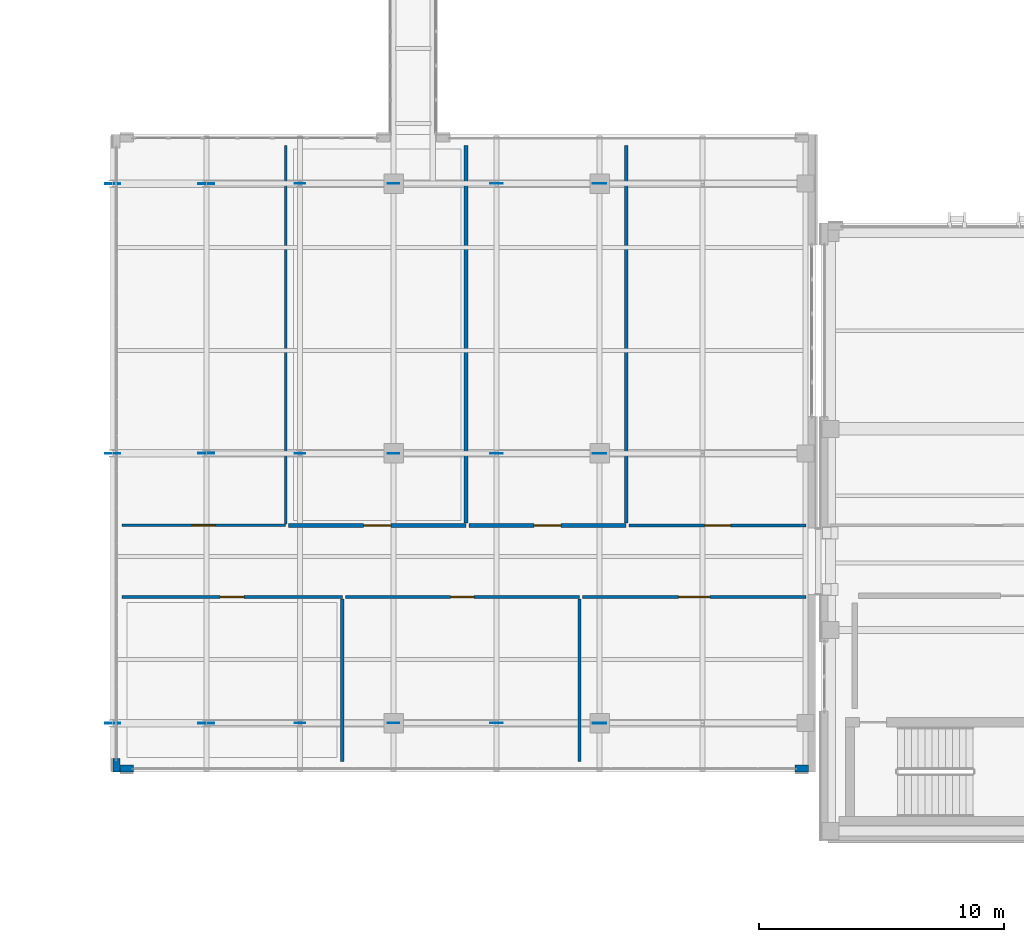
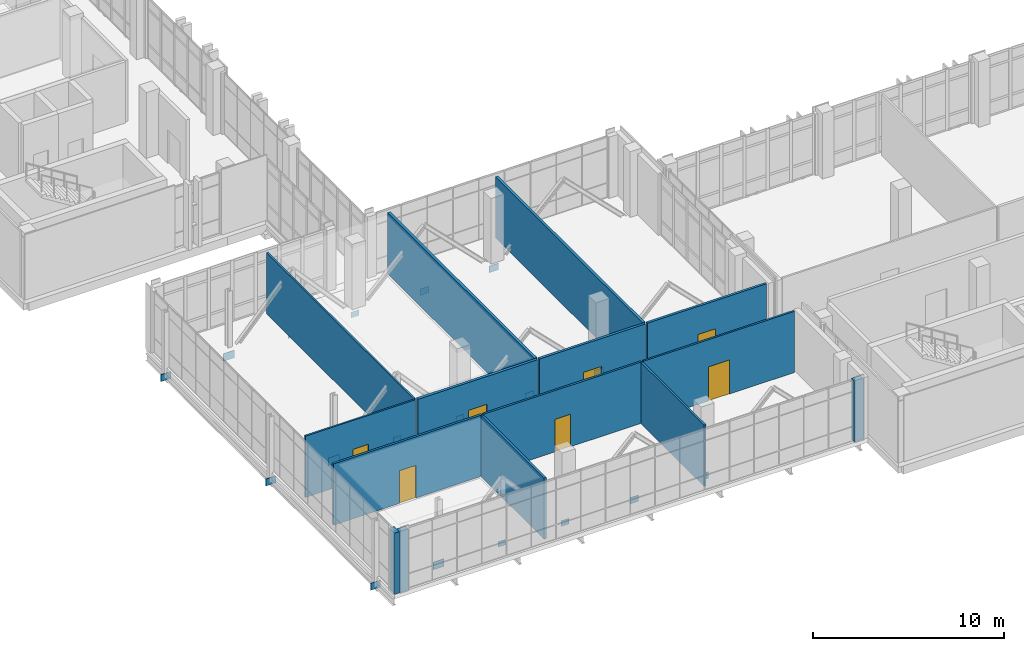
# One storey, part 132 of 165: 18 plates, 15 walls, 7 doors, 7 openings.
"""IFC4 building model written with IfcOpenShell, lengths in metres."""

from ifc_helpers import new_model, si_unit, direction, frame, frame_2d, origin, origin_2d, place, context, subcontext, project, spatial, rectangle, extrude, material, layer, layer_set, type_object, element, fill, save


model = new_model("IFC4")

# Units and contexts
model_context = context("Model", 3, precision=1e-05, world=origin(), true_north=direction((0.0, 1.0)))
body_context = subcontext(model_context, "Body", "Model", "MODEL_VIEW")
ifc_project = project(units=[si_unit("LENGTHUNIT", "METRE"), si_unit("AREAUNIT", "SQUARE_METRE"), si_unit("VOLUMEUNIT", "CUBIC_METRE"), si_unit("PLANEANGLEUNIT", "RADIAN"), si_unit("MASSUNIT", "GRAM", prefix="KILO")], contexts=[model_context])

# Site, building, storey
site_placement = place(None, origin())
site = spatial("IfcSite", under=ifc_project, at=site_placement, CompositionType="ELEMENT")
building_placement = place(site_placement, origin())
building = spatial("IfcBuilding", under=site, at=building_placement, Name="Qalavern Law Courts", CompositionType="ELEMENT")
storey_placement = place(building_placement, frame((0.0, 0.0, 14.39990234375)))
storey = spatial("IfcBuildingStorey", under=building, at=storey_placement, Name="L03", CompositionType="ELEMENT", Elevation=14.39990234375)

# Plates
ifc_material_1 = material(Name="Steel S355", Category="steel")
ifc_layer_1 = layer(ifc_material_1, 0.035888671875)
ifc_layer_set_1 = layer_set([ifc_layer_1], Name="Steel S355")
plate_type_1 = type_object("IfcPlateType", Name="STR-GP-TN1", PredefinedType="USERDEFINED", material=ifc_layer_set_1)
for number, where, z_axis, x_axis, name in (
    (1, (9.166748046875, 10.0, -0.849853515625), (0.0, 0.0, 1.0), (1.0, 0.0, 0.0), "Truss node gusset plate TN1 T1-L03-5"),
    (2, (9.166748046875, 21.0, -0.849853515625), (0.0, 0.0, 1.0), (1.0, 0.0, 0.0), "Truss node gusset plate TN1 T2-L03-5"),
    (3, (9.166748046875, 32.0, -0.849853515625), (0.0, 0.0, 1.0), (1.0, 0.0, 0.0), "Truss node gusset plate TN1 T3-L03-5"),
):
    element("IfcPlate", number, at=place(storey_placement, frame(where, z_axis=z_axis, x_axis=x_axis)), inside=storey, type_object=plate_type_1, Name=name, ObjectType="GUSSET PLATE", PredefinedType="USERDEFINED", context=body_context, shape_type="SweptSolid", body=[
        extrude(rectangle(XDim=0.64990234375, YDim=0.035888671875, at=origin_2d()), origin(), (0.0, 0.0, 1.0), 0.47998046875),
    ])
ifc_layer_2 = layer(ifc_material_1, 0.031982421875)
ifc_layer_set_2 = layer_set([ifc_layer_2], Name="Steel S355")
plate_type_2 = type_object("IfcPlateType", Name="STR-GP-TN2", PredefinedType="USERDEFINED", material=ifc_layer_set_2)
for number, where, z_axis, x_axis, name in (
    (4, (5.35009765625, 10.0, -0.8349609375), (0.0, 0.0, 1.0), (1.0, 0.0, 0.0), "Truss node gusset plate TN2 T1-L03-6"),
    (5, (5.35009765625, 21.0, -0.8349609375), (0.0, 0.0, 1.0), (1.0, 0.0, 0.0), "Truss node gusset plate TN2 T2-L03-6"),
    (6, (5.35009765625, 32.0, -0.8349609375), (0.0, 0.0, 1.0), (1.0, 0.0, 0.0), "Truss node gusset plate TN2 T3-L03-6"),
):
    element("IfcPlate", number, at=place(storey_placement, frame(where, z_axis=z_axis, x_axis=x_axis)), inside=storey, type_object=plate_type_2, Name=name, ObjectType="GUSSET PLATE", PredefinedType="USERDEFINED", context=body_context, shape_type="SweptSolid", body=[
        extrude(rectangle(XDim=0.60009765625, YDim=0.031982421875, at=origin_2d()), origin(), (0.0, 0.0, 1.0), 0.449951171875),
    ])
ifc_layer_3 = layer(ifc_material_1, 0.028076171875)
ifc_layer_set_3 = layer_set([ifc_layer_3], Name="Steel S355")
plate_type_3 = type_object("IfcPlateType", Name="STR-GP-TN3", PredefinedType="USERDEFINED", material=ifc_layer_set_3)
for number, where, z_axis, x_axis, name in (
    (7, (25.199951171875, 10.0, -0.81982421875), (0.0, 0.0, 1.0), (1.0, 0.0, 0.0), "Truss node gusset plate TN3 T1-L03-1"),
    (8, (25.199951171875, 21.0, -0.81982421875), (0.0, 0.0, 1.0), (1.0, 0.0, 0.0), "Truss node gusset plate TN3 T2-L03-1"),
    (9, (25.199951171875, 32.0, -0.81982421875), (0.0, 0.0, 1.0), (1.0, 0.0, 0.0), "Truss node gusset plate TN3 T3-L03-1"),
):
    element("IfcPlate", number, at=place(storey_placement, frame(where, z_axis=z_axis, x_axis=x_axis)), inside=storey, type_object=plate_type_3, Name=name, ObjectType="GUSSET PLATE", PredefinedType="USERDEFINED", context=body_context, shape_type="SweptSolid", body=[
        extrude(rectangle(XDim=0.56005859375, YDim=0.028076171875, at=origin_2d()), origin(), (0.0, 0.0, 1.0), 0.419921875),
    ])
ifc_layer_4 = layer(ifc_material_1, 0.02392578125)
ifc_layer_set_4 = layer_set([ifc_layer_4], Name="Steel S355")
plate_type_4 = type_object("IfcPlateType", Name="STR-GP-TN4", PredefinedType="USERDEFINED", material=ifc_layer_set_4)
for number, where, z_axis, x_axis, name in (
    (10, (21.0, 10.0, -0.809814453125), (0.0, 0.0, 1.0), (1.0, 0.0, 0.0), "Truss node gusset plate TN4 T1-L03-2"),
    (11, (21.0, 21.0, -0.809814453125), (0.0, 0.0, 1.0), (1.0, 0.0, 0.0), "Truss node gusset plate TN4 T2-L03-2"),
    (12, (21.0, 32.0, -0.809814453125), (0.0, 0.0, 1.0), (1.0, 0.0, 0.0), "Truss node gusset plate TN4 T3-L03-2"),
):
    element("IfcPlate", number, at=place(storey_placement, frame(where, z_axis=z_axis, x_axis=x_axis)), inside=storey, type_object=plate_type_4, Name=name, ObjectType="GUSSET PLATE", PredefinedType="USERDEFINED", context=body_context, shape_type="SweptSolid", body=[
        extrude(rectangle(XDim=0.52001953125, YDim=0.02392578125, at=origin_2d()), origin(), (0.0, 0.0, 1.0), 0.39990234375),
    ])
ifc_layer_5 = layer(ifc_material_1, 0.02001953125)
ifc_layer_set_5 = layer_set([ifc_layer_5], Name="Steel S355")
plate_type_5 = type_object("IfcPlateType", Name="STR-GP-TN5", PredefinedType="USERDEFINED", material=ifc_layer_set_5)
for number, where, z_axis, x_axis, name in (
    (13, (16.800048828125, 10.0, -0.7900390625), (0.0, 0.0, 1.0), (1.0, 0.0, 0.0), "Truss node gusset plate TN5 T1-L03-3"),
    (14, (16.800048828125, 21.0, -0.7900390625), (0.0, 0.0, 1.0), (1.0, 0.0, 0.0), "Truss node gusset plate TN5 T2-L03-3"),
    (15, (16.800048828125, 32.0, -0.7900390625), (0.0, 0.0, 1.0), (1.0, 0.0, 0.0), "Truss node gusset plate TN5 T3-L03-3"),
):
    element("IfcPlate", number, at=place(storey_placement, frame(where, z_axis=z_axis, x_axis=x_axis)), inside=storey, type_object=plate_type_5, Name=name, ObjectType="GUSSET PLATE", PredefinedType="USERDEFINED", context=body_context, shape_type="SweptSolid", body=[
        extrude(rectangle(XDim=0.47998046875, YDim=0.02001953125, at=origin_2d()), origin(), (0.0, 0.0, 1.0), 0.360107421875),
    ])
ifc_layer_6 = layer(ifc_material_1, 0.01611328125)
ifc_layer_set_6 = layer_set([ifc_layer_6], Name="Steel S355")
plate_type_6 = type_object("IfcPlateType", Name="STR-GP-TN6", PredefinedType="USERDEFINED", material=ifc_layer_set_6)
for number, where, z_axis, x_axis, name in (
    (16, (12.9833984375, 10.0, -0.77978515625), (0.0, 0.0, 1.0), (1.0, 0.0, 0.0), "Truss node gusset plate TN6 T1-L03-4"),
    (17, (12.9833984375, 21.0, -0.77978515625), (0.0, 0.0, 1.0), (1.0, 0.0, 0.0), "Truss node gusset plate TN6 T2-L03-4"),
    (18, (12.9833984375, 32.0, -0.77978515625), (0.0, 0.0, 1.0), (1.0, 0.0, 0.0), "Truss node gusset plate TN6 T3-L03-4"),
):
    element("IfcPlate", number, at=place(storey_placement, frame(where, z_axis=z_axis, x_axis=x_axis)), inside=storey, type_object=plate_type_6, Name=name, ObjectType="GUSSET PLATE", PredefinedType="USERDEFINED", context=body_context, shape_type="SweptSolid", body=[
        extrude(rectangle(XDim=0.43994140625, YDim=0.01611328125, at=origin_2d()), origin(), (0.0, 0.0, 1.0), 0.340087890625),
    ])

# Walls
ifc_material_2 = material(Name="Concrete C40/50", Category="concrete")
ifc_layer_7 = layer(ifc_material_2, 0.294921875)
ifc_layer_set_7 = layer_set([ifc_layer_7], Name="Concrete C40/50")
wall_type_1 = type_object("IfcWallType", Name="ENV-EW-295", PredefinedType="SOLIDWALL", material=ifc_layer_set_7)
for number, where, z_axis, x_axis, name in (
    (19, (5.639892578125, 8.1474609375, 0.0), (0.0, 0.0, 1.0), (1.0, 0.0, 0.0), "V1 exterior pier wall L03 south 1"),
    (20, (33.159912109375, 8.1474609375, 0.0), (0.0, 0.0, 1.0), (1.0, 0.0, 0.0), "V1 exterior pier wall L03 south 2"),
    (21, (5.49755859375, 8.550048828125, 0.0), (0.0, 0.0, 1.0), (0.0, -1.0, 0.0), "V1 exterior pier wall L03 west 2"),
):
    element("IfcWall", number, at=place(storey_placement, frame(where, z_axis=z_axis, x_axis=x_axis)), inside=storey, type_object=wall_type_1, Name=name, PredefinedType="SOLIDWALL", context=body_context, shape_type="SweptSolid", body=[
        extrude(rectangle(XDim=0.550048828125, YDim=0.294921875, at=frame_2d((0.27490234375, 0.0))), origin(), (0.0, 0.0, 1.0), 3.920166015625),
    ])

# Wall, opening, door
ifc_material_3 = material(Name="Gypsum sanitary partition")
ifc_layer_8 = layer(ifc_material_3, 0.10205078125)
ifc_layer_set_8 = layer_set([ifc_layer_8], Name="Gypsum sanitary partition")
wall_type_2 = type_object("IfcWallType", Name="INT-PW-102", PredefinedType="PARTITIONING", material=ifc_layer_set_8)
wall_1_placement = place(storey_placement, frame((5.72998046875, 18.06005859375, 0.0), z_axis=(0.0, 0.0, 1.0), x_axis=(1.0, 0.0, 0.0)))
wall_1 = element("IfcWall", 22, at=wall_1_placement, inside=storey, type_object=wall_type_2, Name="Public WC corridor partition L03", PredefinedType="PARTITIONING", context=body_context, shape_type="SweptSolid", body=[
    extrude(rectangle(XDim=6.66796875, YDim=0.10205078125, at=frame_2d((3.333984375, 0.0))), origin(), (0.0, 0.0, 1.0), 3.920166015625),
])
opening_1_placement = place(wall_1_placement, frame((2.864013671875, 0.0, 0.0)))
opening_1 = element("IfcOpeningElement", 23, at=opening_1_placement, cuts=wall_1, Name="Opening L03-D137", PredefinedType="OPENING", context=body_context, shape_type="SweptSolid", body=[
    extrude(rectangle(XDim=0.93994140625, YDim=2.070068359375, at=frame_2d((0.469970703125, 1.03515625))), frame((0.0, 0.06591796875, 0.0), z_axis=(0.0, -1.0, 0.0), x_axis=(1.0, 0.0, 0.0)), (0.0, 0.0, 1.0), 0.1318359375),
])
ifc_material_4 = material(Name="Accessible WC outward-clear door")
door_type_1 = type_object("IfcDoorType", Name="INT-ID-940x2070", OperationType="NOTDEFINED", PredefinedType="DOOR", material=ifc_material_4)
door_1_placement = place(opening_1_placement, origin())
door_1 = element("IfcDoor", 24, at=door_1_placement, inside=storey, type_object=door_type_1, Name="Public WC door L03", OperationType="SINGLE_SWING_RIGHT", OverallHeight=2.070068359375, OverallWidth=0.93994140625, PredefinedType="DOOR", context=body_context, shape_type="SweptSolid", body=[
    extrude(rectangle(XDim=0.93994140625, YDim=2.070068359375, at=frame_2d((0.469970703125, 1.03515625))), frame((0.0, 0.02490234375, 0.0), z_axis=(0.0, -1.0, 0.0), x_axis=(1.0, 0.0, 0.0)), (0.0, 0.0, 1.0), 0.050048828125),
])
fill(opening_1, door_1)

# Wall
wall_2_placement = place(storey_placement, frame((12.39794921875, 18.131103515625, 0.0), z_axis=(0.0, 0.0, 1.0), x_axis=(0.0, 1.0, 0.0)))
element("IfcWall", 25, at=wall_2_placement, inside=storey, type_object=wall_type_2, Name="Public WC cross partition L03 east", PredefinedType="PARTITIONING", context=body_context, shape_type="SweptSolid", body=[
    extrude(rectangle(XDim=15.428955078125, YDim=0.10205078125, at=frame_2d((7.71435546875, 0.0))), origin(), (0.0, 0.0, 1.0), 3.920166015625),
])

# Wall, opening, door
ifc_material_5 = material(Name="Gypsum stud partition")
ifc_layer_9 = layer(ifc_material_5, 0.112060546875)
ifc_layer_set_9 = layer_set([ifc_layer_9], Name="Gypsum stud partition")
wall_type_3 = type_object("IfcWallType", Name="INT-PW-112", PredefinedType="PARTITIONING", material=ifc_layer_set_9)
wall_3_placement = place(storey_placement, frame((24.5009765625, 15.139892578125, 0.0), z_axis=(0.0, 0.0, 1.0), x_axis=(1.0, 0.0, 0.0)))
wall_3 = element("IfcWall", 26, at=wall_3_placement, inside=storey, type_object=wall_type_3, Name="Mediation Consultation Room corridor partition L03", PredefinedType="PARTITIONING", context=body_context, shape_type="SweptSolid", body=[
    extrude(rectangle(XDim=9.119140625, YDim=0.112060546875, at=frame_2d((4.5595703125, 0.0))), origin(), (0.0, 0.0, 1.0), 3.920166015625),
])
opening_2_placement = place(wall_3_placement, frame((3.91943359375, 0.0, 0.0)))
opening_2 = element("IfcOpeningElement", 27, at=opening_2_placement, cuts=wall_3, Name="Opening L03-D136", PredefinedType="OPENING", context=body_context, shape_type="SweptSolid", body=[
    extrude(rectangle(XDim=1.280029296875, YDim=2.179931640625, at=frame_2d((0.64013671875, 1.08984375))), frame((0.0, 0.07080078125, 0.0), z_axis=(0.0, -1.0, 0.0), x_axis=(1.0, 0.0, 0.0)), (0.0, 0.0, 1.0), 0.141845703125),
])
ifc_material_6 = material(Name="Wide oak Judicial Conference door")
door_type_2 = type_object("IfcDoorType", Name="INT-ID-1280x2180", OperationType="NOTDEFINED", PredefinedType="DOOR", material=ifc_material_6)
door_2_placement = place(opening_2_placement, frame((1.280029296875, 0.0, 0.0), z_axis=(0.0, 0.0, 1.0), x_axis=(-1.0, 0.0, 0.0)))
door_2 = element("IfcDoor", 28, at=door_2_placement, inside=storey, type_object=door_type_2, Name="Mediation Consultation Room door L03", OperationType="SINGLE_SWING_LEFT", OverallHeight=2.179931640625, OverallWidth=1.280029296875, PredefinedType="DOOR", context=body_context, shape_type="SweptSolid", body=[
    extrude(rectangle(XDim=1.280029296875, YDim=2.179931640625, at=frame_2d((0.64013671875, 1.08984375))), frame((0.0, 0.02490234375, 0.0), z_axis=(0.0, -1.0, 0.0), x_axis=(1.0, 0.0, 0.0)), (0.0, 0.0, 1.0), 0.050048828125),
])
fill(opening_2, door_2)

ifc_layer_10 = layer(ifc_material_5, 0.1220703125)
ifc_layer_set_10 = layer_set([ifc_layer_10], Name="Gypsum stud partition")
wall_type_4 = type_object("IfcWallType", Name="INT-PW-122", PredefinedType="PARTITIONING", material=ifc_layer_set_10)
wall_4_placement = place(storey_placement, frame((14.83203125, 15.139892578125, 0.0), z_axis=(0.0, 0.0, 1.0), x_axis=(1.0, 0.0, 0.0)))
wall_4 = element("IfcWall", 29, at=wall_4_placement, inside=storey, type_object=wall_type_4, Name="Press Briefing Waiting Lounge corridor partition L03", PredefinedType="PARTITIONING", context=body_context, shape_type="SweptSolid", body=[
    extrude(rectangle(XDim=9.549072265625, YDim=0.1220703125, at=frame_2d((4.7744140625, 0.0))), origin(), (0.0, 0.0, 1.0), 3.920166015625),
])
opening_3_placement = place(wall_4_placement, frame((4.29443359375, 0.0, 0.0)))
opening_3 = element("IfcOpeningElement", 30, at=opening_3_placement, cuts=wall_4, Name="Opening L03-D135", PredefinedType="OPENING", context=body_context, shape_type="SweptSolid", body=[
    extrude(rectangle(XDim=0.9599609375, YDim=2.080078125, at=frame_2d((0.47998046875, 1.0400390625))), frame((0.0, 0.075927734375, 0.0), z_axis=(0.0, -1.0, 0.0), x_axis=(1.0, 0.0, 0.0)), (0.0, 0.0, 1.0), 0.15185546875),
])
ifc_material_7 = material(Name="Timber Counsel Consultation door", Category="wood")
door_type_3 = type_object("IfcDoorType", Name="INT-ID-960x2080", OperationType="NOTDEFINED", PredefinedType="DOOR", material=ifc_material_7)
door_3_placement = place(opening_3_placement, frame((0.9599609375, 0.0, 0.0), z_axis=(0.0, 0.0, 1.0), x_axis=(-1.0, 0.0, 0.0)))
door_3 = element("IfcDoor", 31, at=door_3_placement, inside=storey, type_object=door_type_3, Name="Press Briefing Waiting Lounge door L03", OperationType="SINGLE_SWING_RIGHT", OverallHeight=2.080078125, OverallWidth=0.9599609375, PredefinedType="DOOR", context=body_context, shape_type="SweptSolid", body=[
    extrude(rectangle(XDim=0.9599609375, YDim=2.080078125, at=frame_2d((0.47998046875, 1.0400390625))), frame((0.0, 0.02490234375, 0.0), z_axis=(0.0, -1.0, 0.0), x_axis=(1.0, 0.0, 0.0)), (0.0, 0.0, 1.0), 0.050048828125),
])
fill(opening_3, door_3)

# Wall
wall_5_placement = place(storey_placement, frame((24.381103515625, 8.43994140625, 0.0), z_axis=(0.0, 0.0, 1.0), x_axis=(0.0, 1.0, 0.0)))
element("IfcWall", 32, at=wall_5_placement, inside=storey, type_object=wall_type_4, Name="Press Briefing Waiting Lounge cross partition L03 east", PredefinedType="PARTITIONING", context=body_context, shape_type="SweptSolid", body=[
    extrude(rectangle(XDim=6.619140625, YDim=0.1220703125, at=frame_2d((3.3095703125, 0.0))), origin(), (0.0, 0.0, 1.0), 3.920166015625),
])

# Wall, opening, door
ifc_layer_11 = layer(ifc_material_5, 0.132080078125)
ifc_layer_set_11 = layer_set([ifc_layer_11], Name="Gypsum stud partition")
wall_type_5 = type_object("IfcWallType", Name="INT-PW-132", PredefinedType="PARTITIONING", material=ifc_layer_set_11)
wall_6_placement = place(storey_placement, frame((5.72998046875, 15.139892578125, 0.0), z_axis=(0.0, 0.0, 1.0), x_axis=(1.0, 0.0, 0.0)))
wall_6 = element("IfcWall", 33, at=wall_6_placement, inside=storey, type_object=wall_type_5, Name="Upper Public Foyer corridor partition L03", PredefinedType="PARTITIONING", context=body_context, shape_type="SweptSolid", body=[
    extrude(rectangle(XDim=8.98193359375, YDim=0.132080078125, at=frame_2d((4.490966796875, 0.0))), origin(), (0.0, 0.0, 1.0), 3.920166015625),
])
opening_4_placement = place(wall_6_placement, frame((4.0009765625, 0.0, 0.0)))
opening_4 = element("IfcOpeningElement", 34, at=opening_4_placement, cuts=wall_6, Name="Opening L03-D134", PredefinedType="OPENING", context=body_context, shape_type="SweptSolid", body=[
    extrude(rectangle(XDim=0.97998046875, YDim=2.090087890625, at=frame_2d((0.489990234375, 1.044921875))), frame((0.0, 0.0810546875, 0.0), z_axis=(0.0, -1.0, 0.0), x_axis=(1.0, 0.0, 0.0)), (0.0, 0.0, 1.0), 0.161865234375),
])
ifc_material_8 = material(Name="Timber Legal Research Office door", Category="wood")
door_type_4 = type_object("IfcDoorType", Name="INT-ID-980x2090", OperationType="NOTDEFINED", PredefinedType="DOOR", material=ifc_material_8)
door_4_placement = place(opening_4_placement, frame((0.97998046875, 0.0, 0.0), z_axis=(0.0, 0.0, 1.0), x_axis=(-1.0, 0.0, 0.0)))
door_4 = element("IfcDoor", 35, at=door_4_placement, inside=storey, type_object=door_type_4, Name="Upper Public Foyer door L03", OperationType="SINGLE_SWING_LEFT", OverallHeight=2.090087890625, OverallWidth=0.97998046875, PredefinedType="DOOR", context=body_context, shape_type="SweptSolid", body=[
    extrude(rectangle(XDim=0.97998046875, YDim=2.090087890625, at=frame_2d((0.489990234375, 1.044921875))), frame((0.0, 0.02490234375, 0.0), z_axis=(0.0, -1.0, 0.0), x_axis=(1.0, 0.0, 0.0)), (0.0, 0.0, 1.0), 0.050048828125),
])
fill(opening_4, door_4)

# Wall
wall_7_placement = place(storey_placement, frame((14.7119140625, 8.43994140625, 0.0), z_axis=(0.0, 0.0, 1.0), x_axis=(0.0, 1.0, 0.0)))
element("IfcWall", 36, at=wall_7_placement, inside=storey, type_object=wall_type_5, Name="Upper Public Foyer cross partition L03 east", PredefinedType="PARTITIONING", context=body_context, shape_type="SweptSolid", body=[
    extrude(rectangle(XDim=6.614013671875, YDim=0.132080078125, at=frame_2d((3.30712890625, 0.0))), origin(), (0.0, 0.0, 1.0), 3.920166015625),
])

# Wall, opening, door
ifc_layer_12 = layer(ifc_material_5, 0.14208984375)
ifc_layer_set_12 = layer_set([ifc_layer_12], Name="Gypsum stud partition")
wall_type_6 = type_object("IfcWallType", Name="INT-PW-142", PredefinedType="PARTITIONING", material=ifc_layer_set_12)
wall_8_placement = place(storey_placement, frame((26.403076171875, 18.06005859375, 0.0), z_axis=(0.0, 0.0, 1.0), x_axis=(1.0, 0.0, 0.0)))
wall_8 = element("IfcWall", 37, at=wall_8_placement, inside=storey, type_object=wall_type_6, Name="Mediation Consultation Room corridor partition L03", PredefinedType="PARTITIONING", context=body_context, shape_type="SweptSolid", body=[
    extrude(rectangle(XDim=7.217041015625, YDim=0.14208984375, at=frame_2d((3.6083984375, 0.0))), origin(), (0.0, 0.0, 1.0), 3.920166015625),
])
opening_5_placement = place(wall_8_placement, frame((3.07861328125, 0.0, 0.0)))
opening_5 = element("IfcOpeningElement", 38, at=opening_5_placement, cuts=wall_8, Name="Opening L03-D140", PredefinedType="OPENING", context=body_context, shape_type="SweptSolid", body=[
    extrude(rectangle(XDim=1.06005859375, YDim=2.1201171875, at=frame_2d((0.530029296875, 1.06005859375))), frame((0.0, 0.0859375, 0.0), z_axis=(0.0, -1.0, 0.0), x_axis=(1.0, 0.0, 0.0)), (0.0, 0.0, 1.0), 0.171875),
])
ifc_material_9 = material(Name="Solid oak Trial Judges' Chambers door")
door_type_5 = type_object("IfcDoorType", Name="INT-ID-1060x2120", OperationType="NOTDEFINED", PredefinedType="DOOR", material=ifc_material_9)
door_5_placement = place(opening_5_placement, origin())
door_5 = element("IfcDoor", 39, at=door_5_placement, inside=storey, type_object=door_type_5, Name="Mediation Consultation Room door L03", OperationType="SINGLE_SWING_LEFT", OverallHeight=2.1201171875, OverallWidth=1.06005859375, PredefinedType="DOOR", context=body_context, shape_type="SweptSolid", body=[
    extrude(rectangle(XDim=1.06005859375, YDim=2.1201171875, at=frame_2d((0.530029296875, 1.06005859375))), frame((0.0, 0.02490234375, 0.0), z_axis=(0.0, -1.0, 0.0), x_axis=(1.0, 0.0, 0.0)), (0.0, 0.0, 1.0), 0.050048828125),
])
fill(opening_5, door_5)

ifc_layer_13 = layer(ifc_material_5, 0.152099609375)
ifc_layer_set_13 = layer_set([ifc_layer_13], Name="Gypsum stud partition")
wall_type_7 = type_object("IfcWallType", Name="INT-PW-152", PredefinedType="PARTITIONING", material=ifc_layer_set_13)
wall_9_placement = place(storey_placement, frame((19.8720703125, 18.06005859375, 0.0), z_axis=(0.0, 0.0, 1.0), x_axis=(1.0, 0.0, 0.0)))
wall_9 = element("IfcWall", 40, at=wall_9_placement, inside=storey, type_object=wall_type_7, Name="Press Briefing Waiting Lounge corridor partition L03", PredefinedType="PARTITIONING", context=body_context, shape_type="SweptSolid", body=[
    extrude(rectangle(XDim=6.410888671875, YDim=0.152099609375, at=frame_2d((3.20556640625, 0.0))), origin(), (0.0, 0.0, 1.0), 3.920166015625),
])
opening_6_placement = place(wall_9_placement, frame((2.660400390625, 0.0, 0.0)))
opening_6 = element("IfcOpeningElement", 41, at=opening_6_placement, cuts=wall_9, Name="Opening L03-D139", PredefinedType="OPENING", context=body_context, shape_type="SweptSolid", body=[
    extrude(rectangle(XDim=1.090087890625, YDim=2.1298828125, at=frame_2d((0.544921875, 1.06494140625))), frame((0.0, 0.0908203125, 0.0), z_axis=(0.0, -1.0, 0.0), x_axis=(1.0, 0.0, 0.0)), (0.0, 0.0, 1.0), 0.181884765625),
])
ifc_material_10 = material(Name="Solid oak Senior Judges' Chambers door")
door_type_6 = type_object("IfcDoorType", Name="INT-ID-1090x2130", OperationType="NOTDEFINED", PredefinedType="DOOR", material=ifc_material_10)
door_6_placement = place(opening_6_placement, origin())
door_6 = element("IfcDoor", 42, at=door_6_placement, inside=storey, type_object=door_type_6, Name="Press Briefing Waiting Lounge door L03", OperationType="SINGLE_SWING_RIGHT", OverallHeight=2.1298828125, OverallWidth=1.090087890625, PredefinedType="DOOR", context=body_context, shape_type="SweptSolid", body=[
    extrude(rectangle(XDim=1.090087890625, YDim=2.1298828125, at=frame_2d((0.544921875, 1.06494140625))), frame((0.0, 0.02490234375, 0.0), z_axis=(0.0, -1.0, 0.0), x_axis=(1.0, 0.0, 0.0)), (0.0, 0.0, 1.0), 0.050048828125),
])
fill(opening_6, door_6)

# Wall
wall_10_placement = place(storey_placement, frame((26.282958984375, 18.156005859375, 0.0), z_axis=(0.0, 0.0, 1.0), x_axis=(0.0, 1.0, 0.0)))
element("IfcWall", 43, at=wall_10_placement, inside=storey, type_object=wall_type_7, Name="Press Briefing Waiting Lounge cross partition L03 east", PredefinedType="PARTITIONING", context=body_context, shape_type="SweptSolid", body=[
    extrude(rectangle(XDim=15.404052734375, YDim=0.152099609375, at=frame_2d((7.7021484375, 0.0))), origin(), (0.0, 0.0, 1.0), 3.920166015625),
])

# Wall, opening, door
ifc_layer_14 = layer(ifc_material_5, 0.162109375)
ifc_layer_set_14 = layer_set([ifc_layer_14], Name="Gypsum stud partition")
wall_type_8 = type_object("IfcWallType", Name="INT-PW-162", PredefinedType="PARTITIONING", material=ifc_layer_set_14)
wall_11_placement = place(storey_placement, frame((12.51806640625, 18.06005859375, 0.0), z_axis=(0.0, 0.0, 1.0), x_axis=(1.0, 0.0, 0.0)))
wall_11 = element("IfcWall", 44, at=wall_11_placement, inside=storey, type_object=wall_type_8, Name="Upper Public Foyer corridor partition L03", PredefinedType="PARTITIONING", context=body_context, shape_type="SweptSolid", body=[
    extrude(rectangle(XDim=7.23388671875, YDim=0.162109375, at=frame_2d((3.616943359375, 0.0))), origin(), (0.0, 0.0, 1.0), 3.920166015625),
])
opening_7_placement = place(wall_11_placement, frame((3.056884765625, 0.0, 0.0)))
opening_7 = element("IfcOpeningElement", 45, at=opening_7_placement, cuts=wall_11, Name="Opening L03-D138", PredefinedType="OPENING", context=body_context, shape_type="SweptSolid", body=[
    extrude(rectangle(XDim=1.1201171875, YDim=2.139892578125, at=frame_2d((0.56005859375, 1.06982421875))), frame((0.0, 0.095947265625, 0.0), z_axis=(0.0, -1.0, 0.0), x_axis=(1.0, 0.0, 0.0)), (0.0, 0.0, 1.0), 0.19189453125),
])
ifc_material_11 = material(Name="Solid oak Appellate Chambers door")
door_type_7 = type_object("IfcDoorType", Name="INT-ID-1120x2140", OperationType="NOTDEFINED", PredefinedType="DOOR", material=ifc_material_11)
door_7_placement = place(opening_7_placement, origin())
door_7 = element("IfcDoor", 46, at=door_7_placement, inside=storey, type_object=door_type_7, Name="Upper Public Foyer door L03", OperationType="SINGLE_SWING_LEFT", OverallHeight=2.139892578125, OverallWidth=1.1201171875, PredefinedType="DOOR", context=body_context, shape_type="SweptSolid", body=[
    extrude(rectangle(XDim=1.1201171875, YDim=2.139892578125, at=frame_2d((0.56005859375, 1.06982421875))), frame((0.0, 0.02490234375, 0.0), z_axis=(0.0, -1.0, 0.0), x_axis=(1.0, 0.0, 0.0)), (0.0, 0.0, 1.0), 0.050048828125),
])
fill(opening_7, door_7)

# Wall
wall_12_placement = place(storey_placement, frame((19.751953125, 18.160888671875, 0.0), z_axis=(0.0, 0.0, 1.0), x_axis=(0.0, 1.0, 0.0)))
element("IfcWall", 47, at=wall_12_placement, inside=storey, type_object=wall_type_8, Name="Upper Public Foyer cross partition L03 east", PredefinedType="PARTITIONING", context=body_context, shape_type="SweptSolid", body=[
    extrude(rectangle(XDim=15.399169921875, YDim=0.162109375, at=frame_2d((7.69970703125, 0.0))), origin(), (0.0, 0.0, 1.0), 3.920166015625),
])

save(model, "model.ifc")
